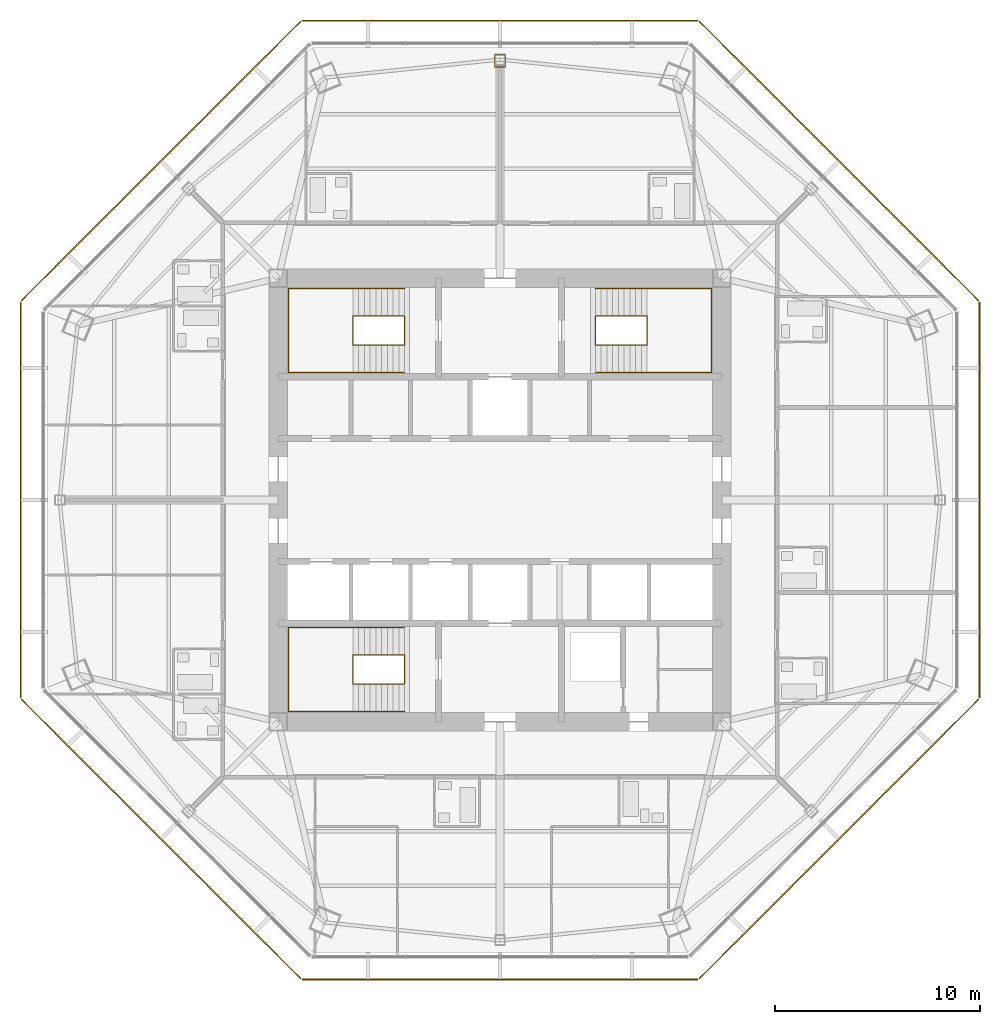
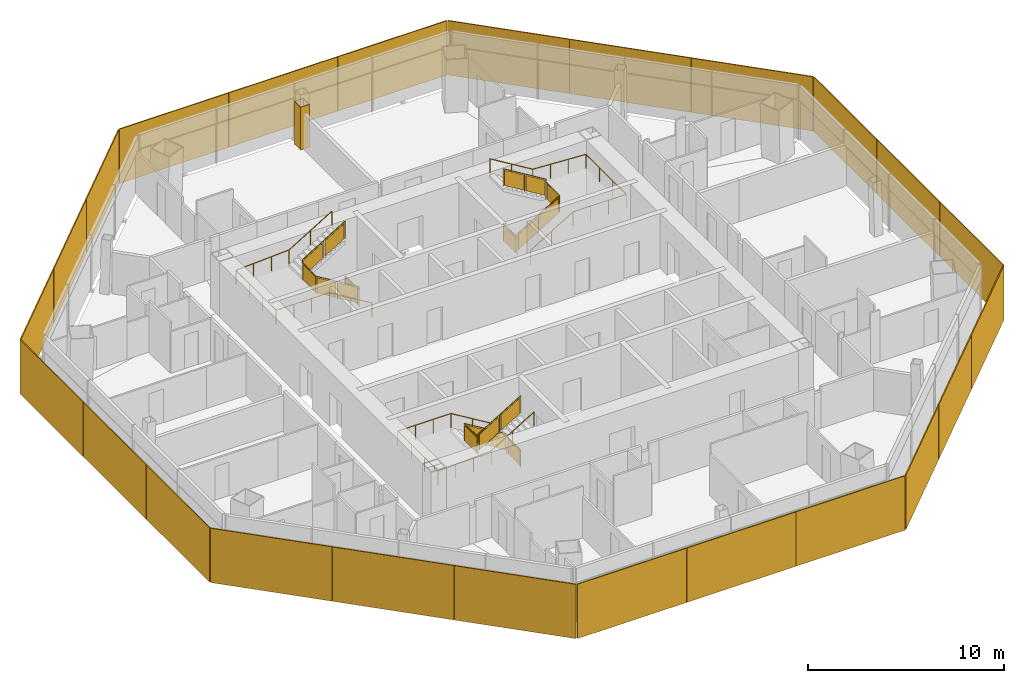
# One storey, part 14 of 15: 24 shading devices, 6 railings, 1 covering.
"""IFC4 building model written with IfcOpenShell, lengths in metres."""

from ifc_helpers import new_model, si_unit, direction, frame, origin, origin_2d, place, context, subcontext, project, spatial, polyline, rectangle, circle, outline, extrude, source, transform, mapped, material, layer, layer_set, type_object, type_shapes, element, save


model = new_model("IFC4")

# Units and contexts
model_context = context("Model", 3, precision=1e-05, world=origin(), true_north=direction((0.0, 1.0)))
body_context = subcontext(model_context, "Body", "Model", "MODEL_VIEW")
ifc_project = project(units=[si_unit("LENGTHUNIT", "METRE"), si_unit("AREAUNIT", "SQUARE_METRE"), si_unit("VOLUMEUNIT", "CUBIC_METRE"), si_unit("PLANEANGLEUNIT", "RADIAN"), si_unit("MASSUNIT", "GRAM", prefix="KILO")], contexts=[model_context])

# Site, building, storey
site_placement = place(None, origin())
site = spatial("IfcSite", under=ifc_project, at=site_placement, CompositionType="ELEMENT")
building_placement = place(site_placement, origin())
building = spatial("IfcBuilding", under=site, at=building_placement, Name="Mashrafa Tower", CompositionType="ELEMENT")
storey_placement = place(building_placement, frame((0.0, 0.0, 204.0)))
storey = spatial("IfcBuildingStorey", under=building, at=storey_placement, Name="L46", CompositionType="ELEMENT", Elevation=204.0)

# Covering
ifc_material_1 = material(Name="Gypsum board")
ifc_layer_1 = layer(ifc_material_1, 0.014892578125)
ifc_layer_set_1 = layer_set([ifc_layer_1], Name="Column casing plasterboard 15")
covering_type = type_object("IfcCoveringType", Name="Column casing plasterboard 15", PredefinedType="CLADDING", material=ifc_layer_set_1)
covering_placement = place(storey_placement, origin())
element("IfcCovering", 1, at=covering_placement, inside=storey, type_object=covering_type, Name="Column casing L46-001", PredefinedType="CLADDING", context=body_context, shape_type="SweptSolid", body=[
    extrude(outline(polyline([(-0.264892578125, 21.708984375), (0.264892578125, 21.708984375), (0.264892578125, 21.08251953125), (-0.264892578125, 21.08251953125), (-0.264892578125, 21.708984375)]), holes=[polyline([(0.25, 21.09765625), (0.25, 21.69384765625), (-0.25, 21.69384765625), (-0.25, 21.09765625), (0.25, 21.09765625)])]), origin(), (0.0, 0.0, 1.0), 2.664306640625),
])

# Railings
ifc_material_2 = material(Name="Steel guard with glass infill", Category="steel")
railing_type_1 = type_object("IfcRailingType", Name="Stair guard 1100", PredefinedType="GUARDRAIL", material=ifc_material_2)
railing_1_placement = place(storey_placement, frame((-4.64990234375, 8.949951171875, 0.0)))
element("IfcRailing", 2, at=railing_1_placement, inside=storey, type_object=railing_type_1, Name="Stair S1 guard L46", PredefinedType="GUARDRAIL", context=body_context, shape_type="SweptSolid", body=[
    extrude(circle(Radius=0.02392578125, at=origin_2d()), frame((0.0, 0.0, 1.076171875), z_axis=(0.0, -1.0, 0.0), x_axis=(1.0, 0.0, 0.0)), (0.0, 0.0, 1.0), 1.39990234375),
    extrude(circle(Radius=0.02392578125, at=origin_2d()), frame((0.0, -1.39990234375, 1.076171875), z_axis=(0.0, 0.0, 1.0), x_axis=(1.0, 0.0, 0.0)), (0.0, 0.0, 1.0), 0.169921875),
    extrude(circle(Radius=0.02392578125, at=origin_2d()), frame((0.0, -1.39990234375, 1.24609375), z_axis=(-0.85478489116, 0.0, 0.518982456201), x_axis=(0.0, -1.0, 0.0)), (0.0, 0.0, 1.0), 2.9482421875),
    extrude(circle(Radius=0.02392578125, at=origin_2d()), frame((-2.52001953125, -1.39990234375, 2.77587890625), z_axis=(0.0, 1.0, 0.0), x_axis=(-1.0, 0.0, 0.0)), (0.0, 0.0, 1.0), 1.39990234375),
    extrude(circle(Radius=0.02392578125, at=origin_2d()), frame((-2.52001953125, 0.0, 2.77587890625), z_axis=(0.0, 0.0, 1.0), x_axis=(1.0, 0.0, 0.0)), (0.0, 0.0, 1.0), 0.170166015625),
    extrude(circle(Radius=0.02392578125, at=origin_2d()), frame((-2.52001953125, 0.0, 2.9462890625), z_axis=(0.854821627497, 0.0, 0.518921945155), x_axis=(0.0, 1.0, 0.0)), (0.0, 0.0, 1.0), 2.947998046875),
    extrude(circle(Radius=0.02099609375, at=origin_2d()), origin(), (0.0, 0.0, 1.0), 1.052001953125),
    extrude(circle(Radius=0.02099609375, at=origin_2d()), frame((0.0, -1.39990234375, 0.0)), (0.0, 0.0, 1.0), 1.052001953125),
    extrude(circle(Radius=0.02099609375, at=origin_2d()), frame((0.0, -1.39990234375, 0.169921875)), (0.0, 0.0, 1.0), 1.052001953125),
    extrude(circle(Radius=0.02099609375, at=origin_2d()), frame((-1.260009765625, -1.39990234375, 0.93505859375)), (0.0, 0.0, 1.0), 1.052001953125),
    extrude(circle(Radius=0.02099609375, at=origin_2d()), frame((-2.52001953125, -1.39990234375, 1.699951171875)), (0.0, 0.0, 1.0), 1.052001953125),
    extrude(circle(Radius=0.02099609375, at=origin_2d()), frame((-2.52001953125, 0.0, 1.699951171875)), (0.0, 0.0, 1.0), 1.052001953125),
    extrude(circle(Radius=0.02099609375, at=origin_2d()), frame((-2.52001953125, 0.0, 1.8701171875)), (0.0, 0.0, 1.0), 1.052001953125),
    extrude(circle(Radius=0.02099609375, at=origin_2d()), frame((-1.260009765625, 0.0, 2.635009765625)), (0.0, 0.0, 1.0), 1.052001953125),
    extrude(circle(Radius=0.02099609375, at=origin_2d()), frame((0.0, 0.0, 3.39990234375)), (0.0, 0.0, 1.0), 1.052001953125),
    extrude(outline(polyline([(0.071044921875, 0.050048828125), (1.328857421875, 0.050048828125), (1.328857421875, 1.001953125), (0.071044921875, 1.001953125), (0.071044921875, 0.050048828125)])), frame((-0.006103515625, 0.0, 0.0), z_axis=(-1.0, 0.0, 0.0), x_axis=(0.0, -1.0, 0.0)), (0.0, 0.0, 1.0), 0.011962890625),
    extrude(outline(polyline([(0.071044921875, 0.093017578125), (1.18896484375, 0.77197265625), (1.18896484375, 1.723876953125), (0.071044921875, 1.045166015625), (0.071044921875, 0.093017578125)])), frame((0.0, -1.393798828125, 0.169921875), z_axis=(0.0, 1.0, 0.0), x_axis=(-1.0, 0.0, 0.0)), (0.0, 0.0, 1.0), 0.011962890625),
    extrude(outline(polyline([(1.3310546875, 0.858154296875), (2.448974609375, 1.536865234375), (2.448974609375, 2.489013671875), (1.3310546875, 1.81005859375), (1.3310546875, 0.858154296875)])), frame((0.0, -1.393798828125, 0.169921875), z_axis=(0.0, 1.0, 0.0), x_axis=(-1.0, 0.0, 0.0)), (0.0, 0.0, 1.0), 0.011962890625),
    extrude(outline(polyline([(0.071044921875, 0.050048828125), (1.328857421875, 0.050048828125), (1.328857421875, 1.001953125), (0.071044921875, 1.001953125), (0.071044921875, 0.050048828125)])), frame((-2.513916015625, -1.39990234375, 1.699951171875), z_axis=(1.0, 0.0, 0.0), x_axis=(0.0, 1.0, 0.0)), (0.0, 0.0, 1.0), 0.011962890625),
    extrude(outline(polyline([(0.071044921875, 0.093017578125), (1.18896484375, 0.771728515625), (1.18896484375, 1.723876953125), (0.071044921875, 1.045166015625), (0.071044921875, 0.093017578125)])), frame((-2.52001953125, -0.006103515625, 1.8701171875), z_axis=(0.0, -1.0, 0.0), x_axis=(1.0, 0.0, 0.0)), (0.0, 0.0, 1.0), 0.011962890625),
    extrude(outline(polyline([(1.3310546875, 0.85791015625), (2.448974609375, 1.53662109375), (2.448974609375, 2.48876953125), (1.3310546875, 1.81005859375), (1.3310546875, 0.85791015625)])), frame((-2.52001953125, -0.006103515625, 1.8701171875), z_axis=(0.0, -1.0, 0.0), x_axis=(1.0, 0.0, 0.0)), (0.0, 0.0, 1.0), 0.011962890625),
])
railing_2_placement = place(storey_placement, frame((4.64990234375, 8.949951171875, 0.0)))
element("IfcRailing", 3, at=railing_2_placement, inside=storey, type_object=railing_type_1, Name="Stair S2 guard L46", PredefinedType="GUARDRAIL", context=body_context, shape_type="SweptSolid", body=[
    extrude(circle(Radius=0.02392578125, at=origin_2d()), frame((0.0, 0.0, 1.076171875), z_axis=(0.0, -1.0, 0.0), x_axis=(1.0, 0.0, 0.0)), (0.0, 0.0, 1.0), 1.39990234375),
    extrude(circle(Radius=0.02392578125, at=origin_2d()), frame((0.0, -1.39990234375, 1.076171875), z_axis=(0.0, 0.0, 1.0), x_axis=(1.0, 0.0, 0.0)), (0.0, 0.0, 1.0), 0.169921875),
    extrude(circle(Radius=0.02392578125, at=origin_2d()), frame((0.0, -1.39990234375, 1.24609375), z_axis=(0.85478489116, 0.0, 0.518982456201), x_axis=(0.0, 1.0, 0.0)), (0.0, 0.0, 1.0), 2.9482421875),
    extrude(circle(Radius=0.02392578125, at=origin_2d()), frame((2.52001953125, -1.39990234375, 2.77587890625), z_axis=(0.0, 1.0, 0.0), x_axis=(-1.0, 0.0, 0.0)), (0.0, 0.0, 1.0), 1.39990234375),
    extrude(circle(Radius=0.02392578125, at=origin_2d()), frame((2.52001953125, 0.0, 2.77587890625), z_axis=(0.0, 0.0, 1.0), x_axis=(1.0, 0.0, 0.0)), (0.0, 0.0, 1.0), 0.170166015625),
    extrude(circle(Radius=0.02392578125, at=origin_2d()), frame((2.52001953125, 0.0, 2.9462890625), z_axis=(-0.854821627497, 0.0, 0.518921945155), x_axis=(0.0, -1.0, 0.0)), (0.0, 0.0, 1.0), 2.947998046875),
    extrude(circle(Radius=0.02099609375, at=origin_2d()), origin(), (0.0, 0.0, 1.0), 1.052001953125),
    extrude(circle(Radius=0.02099609375, at=origin_2d()), frame((0.0, -1.39990234375, 0.0)), (0.0, 0.0, 1.0), 1.052001953125),
    extrude(circle(Radius=0.02099609375, at=origin_2d()), frame((0.0, -1.39990234375, 0.169921875)), (0.0, 0.0, 1.0), 1.052001953125),
    extrude(circle(Radius=0.02099609375, at=origin_2d()), frame((1.260009765625, -1.39990234375, 0.93505859375)), (0.0, 0.0, 1.0), 1.052001953125),
    extrude(circle(Radius=0.02099609375, at=origin_2d()), frame((2.52001953125, -1.39990234375, 1.699951171875)), (0.0, 0.0, 1.0), 1.052001953125),
    extrude(circle(Radius=0.02099609375, at=origin_2d()), frame((2.52001953125, 0.0, 1.699951171875)), (0.0, 0.0, 1.0), 1.052001953125),
    extrude(circle(Radius=0.02099609375, at=origin_2d()), frame((2.52001953125, 0.0, 1.8701171875)), (0.0, 0.0, 1.0), 1.052001953125),
    extrude(circle(Radius=0.02099609375, at=origin_2d()), frame((1.260009765625, 0.0, 2.635009765625)), (0.0, 0.0, 1.0), 1.052001953125),
    extrude(circle(Radius=0.02099609375, at=origin_2d()), frame((0.0, 0.0, 3.39990234375)), (0.0, 0.0, 1.0), 1.052001953125),
    extrude(outline(polyline([(0.071044921875, 0.050048828125), (1.328857421875, 0.050048828125), (1.328857421875, 1.001953125), (0.071044921875, 1.001953125), (0.071044921875, 0.050048828125)])), frame((-0.006103515625, 0.0, 0.0), z_axis=(-1.0, 0.0, 0.0), x_axis=(0.0, -1.0, 0.0)), (0.0, 0.0, 1.0), 0.011962890625),
    extrude(outline(polyline([(0.071044921875, 0.093017578125), (1.18896484375, 0.77197265625), (1.18896484375, 1.723876953125), (0.071044921875, 1.045166015625), (0.071044921875, 0.093017578125)])), frame((0.0, -1.406005859375, 0.169921875), z_axis=(0.0, -1.0, 0.0), x_axis=(1.0, 0.0, 0.0)), (0.0, 0.0, 1.0), 0.011962890625),
    extrude(outline(polyline([(1.3310546875, 0.858154296875), (2.448974609375, 1.536865234375), (2.448974609375, 2.489013671875), (1.3310546875, 1.81005859375), (1.3310546875, 0.858154296875)])), frame((0.0, -1.406005859375, 0.169921875), z_axis=(0.0, -1.0, 0.0), x_axis=(1.0, 0.0, 0.0)), (0.0, 0.0, 1.0), 0.011962890625),
    extrude(outline(polyline([(0.071044921875, 0.050048828125), (1.328857421875, 0.050048828125), (1.328857421875, 1.001953125), (0.071044921875, 1.001953125), (0.071044921875, 0.050048828125)])), frame((2.526123046875, -1.39990234375, 1.699951171875), z_axis=(1.0, 0.0, 0.0), x_axis=(0.0, 1.0, 0.0)), (0.0, 0.0, 1.0), 0.011962890625),
    extrude(outline(polyline([(0.071044921875, 0.093017578125), (1.18896484375, 0.771728515625), (1.18896484375, 1.723876953125), (0.071044921875, 1.045166015625), (0.071044921875, 0.093017578125)])), frame((2.52001953125, 0.006103515625, 1.8701171875), z_axis=(0.0, 1.0, 0.0), x_axis=(-1.0, 0.0, 0.0)), (0.0, 0.0, 1.0), 0.011962890625),
    extrude(outline(polyline([(1.3310546875, 0.85791015625), (2.448974609375, 1.53662109375), (2.448974609375, 2.48876953125), (1.3310546875, 1.81005859375), (1.3310546875, 0.85791015625)])), frame((2.52001953125, 0.006103515625, 1.8701171875), z_axis=(0.0, 1.0, 0.0), x_axis=(-1.0, 0.0, 0.0)), (0.0, 0.0, 1.0), 0.011962890625),
])
railing_3_placement = place(storey_placement, frame((-4.64990234375, -8.949951171875, 0.0)))
element("IfcRailing", 4, at=railing_3_placement, inside=storey, type_object=railing_type_1, Name="Stair S3 guard L46", PredefinedType="GUARDRAIL", context=body_context, shape_type="SweptSolid", body=[
    extrude(circle(Radius=0.02392578125, at=origin_2d()), frame((0.0, 0.0, 1.076171875), z_axis=(0.0, 1.0, 0.0), x_axis=(-1.0, 0.0, 0.0)), (0.0, 0.0, 1.0), 1.39990234375),
    extrude(circle(Radius=0.02392578125, at=origin_2d()), frame((0.0, 1.39990234375, 1.076171875), z_axis=(0.0, 0.0, 1.0), x_axis=(1.0, 0.0, 0.0)), (0.0, 0.0, 1.0), 0.169921875),
    extrude(circle(Radius=0.02392578125, at=origin_2d()), frame((0.0, 1.39990234375, 1.24609375), z_axis=(-0.85478489116, 0.0, 0.518982456201), x_axis=(0.0, -1.0, 0.0)), (0.0, 0.0, 1.0), 2.9482421875),
    extrude(circle(Radius=0.02392578125, at=origin_2d()), frame((-2.52001953125, 1.39990234375, 2.77587890625), z_axis=(0.0, -1.0, 0.0), x_axis=(1.0, 0.0, 0.0)), (0.0, 0.0, 1.0), 1.39990234375),
    extrude(circle(Radius=0.02392578125, at=origin_2d()), frame((-2.52001953125, 0.0, 2.77587890625), z_axis=(0.0, 0.0, 1.0), x_axis=(1.0, 0.0, 0.0)), (0.0, 0.0, 1.0), 0.170166015625),
    extrude(circle(Radius=0.02392578125, at=origin_2d()), frame((-2.52001953125, 0.0, 2.9462890625), z_axis=(0.854821627497, 0.0, 0.518921945155), x_axis=(0.0, 1.0, 0.0)), (0.0, 0.0, 1.0), 2.947998046875),
    extrude(circle(Radius=0.02099609375, at=origin_2d()), origin(), (0.0, 0.0, 1.0), 1.052001953125),
    extrude(circle(Radius=0.02099609375, at=origin_2d()), frame((0.0, 1.39990234375, 0.0)), (0.0, 0.0, 1.0), 1.052001953125),
    extrude(circle(Radius=0.02099609375, at=origin_2d()), frame((0.0, 1.39990234375, 0.169921875)), (0.0, 0.0, 1.0), 1.052001953125),
    extrude(circle(Radius=0.02099609375, at=origin_2d()), frame((-1.260009765625, 1.39990234375, 0.93505859375)), (0.0, 0.0, 1.0), 1.052001953125),
    extrude(circle(Radius=0.02099609375, at=origin_2d()), frame((-2.52001953125, 1.39990234375, 1.699951171875)), (0.0, 0.0, 1.0), 1.052001953125),
    extrude(circle(Radius=0.02099609375, at=origin_2d()), frame((-2.52001953125, 0.0, 1.699951171875)), (0.0, 0.0, 1.0), 1.052001953125),
    extrude(circle(Radius=0.02099609375, at=origin_2d()), frame((-2.52001953125, 0.0, 1.8701171875)), (0.0, 0.0, 1.0), 1.052001953125),
    extrude(circle(Radius=0.02099609375, at=origin_2d()), frame((-1.260009765625, 0.0, 2.635009765625)), (0.0, 0.0, 1.0), 1.052001953125),
    extrude(circle(Radius=0.02099609375, at=origin_2d()), frame((0.0, 0.0, 3.39990234375)), (0.0, 0.0, 1.0), 1.052001953125),
    extrude(outline(polyline([(0.071044921875, 0.050048828125), (1.328857421875, 0.050048828125), (1.328857421875, 1.001953125), (0.071044921875, 1.001953125), (0.071044921875, 0.050048828125)])), frame((0.006103515625, 0.0, 0.0), z_axis=(1.0, 0.0, 0.0), x_axis=(0.0, 1.0, 0.0)), (0.0, 0.0, 1.0), 0.011962890625),
    extrude(outline(polyline([(0.071044921875, 0.093017578125), (1.18896484375, 0.77197265625), (1.18896484375, 1.723876953125), (0.071044921875, 1.045166015625), (0.071044921875, 0.093017578125)])), frame((0.0, 1.406005859375, 0.169921875), z_axis=(0.0, 1.0, 0.0), x_axis=(-1.0, 0.0, 0.0)), (0.0, 0.0, 1.0), 0.011962890625),
    extrude(outline(polyline([(1.3310546875, 0.858154296875), (2.448974609375, 1.536865234375), (2.448974609375, 2.489013671875), (1.3310546875, 1.81005859375), (1.3310546875, 0.858154296875)])), frame((0.0, 1.406005859375, 0.169921875), z_axis=(0.0, 1.0, 0.0), x_axis=(-1.0, 0.0, 0.0)), (0.0, 0.0, 1.0), 0.011962890625),
    extrude(outline(polyline([(0.071044921875, 0.050048828125), (1.328857421875, 0.050048828125), (1.328857421875, 1.001953125), (0.071044921875, 1.001953125), (0.071044921875, 0.050048828125)])), frame((-2.526123046875, 1.39990234375, 1.699951171875), z_axis=(-1.0, 0.0, 0.0), x_axis=(0.0, -1.0, 0.0)), (0.0, 0.0, 1.0), 0.011962890625),
    extrude(outline(polyline([(0.071044921875, 0.093017578125), (1.18896484375, 0.771728515625), (1.18896484375, 1.723876953125), (0.071044921875, 1.045166015625), (0.071044921875, 0.093017578125)])), frame((-2.52001953125, -0.006103515625, 1.8701171875), z_axis=(0.0, -1.0, 0.0), x_axis=(1.0, 0.0, 0.0)), (0.0, 0.0, 1.0), 0.011962890625),
    extrude(outline(polyline([(1.3310546875, 0.85791015625), (2.448974609375, 1.53662109375), (2.448974609375, 2.48876953125), (1.3310546875, 1.81005859375), (1.3310546875, 0.85791015625)])), frame((-2.52001953125, -0.006103515625, 1.8701171875), z_axis=(0.0, -1.0, 0.0), x_axis=(1.0, 0.0, 0.0)), (0.0, 0.0, 1.0), 0.011962890625),
])
ifc_material_3 = material(Name="Steel", Category="steel")
railing_type_2 = type_object("IfcRailingType", Name="Stair handrail 900", PredefinedType="HANDRAIL", material=ifc_material_3)
railing_4_placement = place(storey_placement, frame((-4.64990234375, 6.199951171875, 0.169921875)))
element("IfcRailing", 5, at=railing_4_placement, inside=storey, type_object=railing_type_2, Name="Stair S1 handrail L46", PredefinedType="HANDRAIL", context=body_context, shape_type="SweptSolid", body=[
    extrude(circle(Radius=0.02392578125, at=origin_2d()), frame((0.0, 0.0, 0.8759765625), z_axis=(-0.85478489116, 0.0, 0.518982456201), x_axis=(0.0, -1.0, 0.0)), (0.0, 0.0, 1.0), 2.9482421875),
    extrude(circle(Radius=0.02392578125, at=origin_2d()), frame((-2.52001953125, 0.0, 2.40576171875), z_axis=(-1.0, 0.0, 0.0), x_axis=(0.0, -1.0, 0.0)), (0.0, 0.0, 1.0), 3.130126953125),
    extrude(circle(Radius=0.02392578125, at=origin_2d()), frame((-5.650146484375, 0.0, 2.40576171875), z_axis=(0.0, 1.0, 0.0), x_axis=(-1.0, 0.0, 0.0)), (0.0, 0.0, 1.0), 4.10009765625),
    extrude(circle(Radius=0.02392578125, at=origin_2d()), frame((-5.650146484375, 4.10009765625, 2.40576171875), z_axis=(0.998525548763, 0.0, 0.054283777201), x_axis=(0.0, 1.0, 0.0)), (0.0, 0.0, 1.0), 3.134765625),
    extrude(circle(Radius=0.02392578125, at=origin_2d()), frame((-2.52001953125, 4.10009765625, 2.576171875), z_axis=(0.854821627497, 0.0, 0.518921945155), x_axis=(0.0, 1.0, 0.0)), (0.0, 0.0, 1.0), 2.947998046875),
    extrude(circle(Radius=0.02099609375, at=origin_2d()), origin(), (0.0, 0.0, 1.0), 0.851806640625),
    extrude(circle(Radius=0.02099609375, at=origin_2d()), frame((-1.260009765625, 0.0, 0.76513671875)), (0.0, 0.0, 1.0), 0.851806640625),
    extrude(circle(Radius=0.02099609375, at=origin_2d()), frame((-2.52001953125, 0.0, 1.530029296875)), (0.0, 0.0, 1.0), 0.851806640625),
    extrude(circle(Radius=0.02099609375, at=origin_2d()), frame((-3.5634765625, 0.0, 1.530029296875)), (0.0, 0.0, 1.0), 0.851806640625),
    extrude(circle(Radius=0.02099609375, at=origin_2d()), frame((-4.606689453125, 0.0, 1.530029296875)), (0.0, 0.0, 1.0), 0.851806640625),
    extrude(circle(Radius=0.02099609375, at=origin_2d()), frame((-5.650146484375, 0.0, 1.530029296875)), (0.0, 0.0, 1.0), 0.851806640625),
    extrude(circle(Radius=0.02099609375, at=origin_2d()), frame((-5.650146484375, 1.36669921875, 1.530029296875)), (0.0, 0.0, 1.0), 0.851806640625),
    extrude(circle(Radius=0.02099609375, at=origin_2d()), frame((-5.650146484375, 2.7333984375, 1.530029296875)), (0.0, 0.0, 1.0), 0.851806640625),
    extrude(circle(Radius=0.02099609375, at=origin_2d()), frame((-5.650146484375, 4.10009765625, 1.530029296875)), (0.0, 0.0, 1.0), 0.851806640625),
    extrude(circle(Radius=0.02099609375, at=origin_2d()), frame((-4.606689453125, 4.10009765625, 1.586669921875)), (0.0, 0.0, 1.0), 0.851806640625),
    extrude(circle(Radius=0.02099609375, at=origin_2d()), frame((-3.5634765625, 4.10009765625, 1.6435546875)), (0.0, 0.0, 1.0), 0.851806640625),
    extrude(circle(Radius=0.02099609375, at=origin_2d()), frame((-2.52001953125, 4.10009765625, 1.7001953125)), (0.0, 0.0, 1.0), 0.851806640625),
    extrude(circle(Radius=0.02099609375, at=origin_2d()), frame((-1.260009765625, 4.10009765625, 2.465087890625)), (0.0, 0.0, 1.0), 0.851806640625),
    extrude(circle(Radius=0.02099609375, at=origin_2d()), frame((0.0, 4.10009765625, 3.22998046875)), (0.0, 0.0, 1.0), 0.851806640625),
])
railing_5_placement = place(storey_placement, frame((4.64990234375, 6.199951171875, 0.169921875)))
element("IfcRailing", 6, at=railing_5_placement, inside=storey, type_object=railing_type_2, Name="Stair S2 handrail L46", PredefinedType="HANDRAIL", context=body_context, shape_type="SweptSolid", body=[
    extrude(circle(Radius=0.02392578125, at=origin_2d()), frame((0.0, 0.0, 0.8759765625), z_axis=(0.85478489116, 0.0, 0.518982456201), x_axis=(0.0, 1.0, 0.0)), (0.0, 0.0, 1.0), 2.9482421875),
    extrude(circle(Radius=0.02392578125, at=origin_2d()), frame((2.52001953125, 0.0, 2.40576171875), z_axis=(1.0, 0.0, 0.0), x_axis=(0.0, 1.0, 0.0)), (0.0, 0.0, 1.0), 3.130126953125),
    extrude(circle(Radius=0.02392578125, at=origin_2d()), frame((5.650146484375, 0.0, 2.40576171875), z_axis=(0.0, 1.0, 0.0), x_axis=(-1.0, 0.0, 0.0)), (0.0, 0.0, 1.0), 4.10009765625),
    extrude(circle(Radius=0.02392578125, at=origin_2d()), frame((5.650146484375, 4.10009765625, 2.40576171875), z_axis=(-0.998525548763, 0.0, 0.054283777201), x_axis=(0.0, -1.0, 0.0)), (0.0, 0.0, 1.0), 3.134765625),
    extrude(circle(Radius=0.02392578125, at=origin_2d()), frame((2.52001953125, 4.10009765625, 2.576171875), z_axis=(-0.854821627497, 0.0, 0.518921945155), x_axis=(0.0, -1.0, 0.0)), (0.0, 0.0, 1.0), 2.947998046875),
    extrude(circle(Radius=0.02099609375, at=origin_2d()), origin(), (0.0, 0.0, 1.0), 0.851806640625),
    extrude(circle(Radius=0.02099609375, at=origin_2d()), frame((1.260009765625, 0.0, 0.76513671875)), (0.0, 0.0, 1.0), 0.851806640625),
    extrude(circle(Radius=0.02099609375, at=origin_2d()), frame((2.52001953125, 0.0, 1.530029296875)), (0.0, 0.0, 1.0), 0.851806640625),
    extrude(circle(Radius=0.02099609375, at=origin_2d()), frame((3.5634765625, 0.0, 1.530029296875)), (0.0, 0.0, 1.0), 0.851806640625),
    extrude(circle(Radius=0.02099609375, at=origin_2d()), frame((4.606689453125, 0.0, 1.530029296875)), (0.0, 0.0, 1.0), 0.851806640625),
    extrude(circle(Radius=0.02099609375, at=origin_2d()), frame((5.650146484375, 0.0, 1.530029296875)), (0.0, 0.0, 1.0), 0.851806640625),
    extrude(circle(Radius=0.02099609375, at=origin_2d()), frame((5.650146484375, 1.36669921875, 1.530029296875)), (0.0, 0.0, 1.0), 0.851806640625),
    extrude(circle(Radius=0.02099609375, at=origin_2d()), frame((5.650146484375, 2.7333984375, 1.530029296875)), (0.0, 0.0, 1.0), 0.851806640625),
    extrude(circle(Radius=0.02099609375, at=origin_2d()), frame((5.650146484375, 4.10009765625, 1.530029296875)), (0.0, 0.0, 1.0), 0.851806640625),
    extrude(circle(Radius=0.02099609375, at=origin_2d()), frame((4.606689453125, 4.10009765625, 1.586669921875)), (0.0, 0.0, 1.0), 0.851806640625),
    extrude(circle(Radius=0.02099609375, at=origin_2d()), frame((3.5634765625, 4.10009765625, 1.6435546875)), (0.0, 0.0, 1.0), 0.851806640625),
    extrude(circle(Radius=0.02099609375, at=origin_2d()), frame((2.52001953125, 4.10009765625, 1.7001953125)), (0.0, 0.0, 1.0), 0.851806640625),
    extrude(circle(Radius=0.02099609375, at=origin_2d()), frame((1.260009765625, 4.10009765625, 2.465087890625)), (0.0, 0.0, 1.0), 0.851806640625),
    extrude(circle(Radius=0.02099609375, at=origin_2d()), frame((0.0, 4.10009765625, 3.22998046875)), (0.0, 0.0, 1.0), 0.851806640625),
])
railing_6_placement = place(storey_placement, frame((-4.64990234375, -6.199951171875, 0.169921875)))
element("IfcRailing", 7, at=railing_6_placement, inside=storey, type_object=railing_type_2, Name="Stair S3 handrail L46", PredefinedType="HANDRAIL", context=body_context, shape_type="SweptSolid", body=[
    extrude(circle(Radius=0.02392578125, at=origin_2d()), frame((0.0, 0.0, 0.8759765625), z_axis=(-0.85478489116, 0.0, 0.518982456201), x_axis=(0.0, -1.0, 0.0)), (0.0, 0.0, 1.0), 2.9482421875),
    extrude(circle(Radius=0.02392578125, at=origin_2d()), frame((-2.52001953125, 0.0, 2.40576171875), z_axis=(-1.0, 0.0, 0.0), x_axis=(0.0, -1.0, 0.0)), (0.0, 0.0, 1.0), 3.130126953125),
    extrude(circle(Radius=0.02392578125, at=origin_2d()), frame((-5.650146484375, 0.0, 2.40576171875), z_axis=(0.0, -1.0, 0.0), x_axis=(1.0, 0.0, 0.0)), (0.0, 0.0, 1.0), 4.10009765625),
    extrude(circle(Radius=0.02392578125, at=origin_2d()), frame((-5.650146484375, -4.10009765625, 2.40576171875), z_axis=(0.998525548763, 0.0, 0.054283777201), x_axis=(0.0, 1.0, 0.0)), (0.0, 0.0, 1.0), 3.134765625),
    extrude(circle(Radius=0.02392578125, at=origin_2d()), frame((-2.52001953125, -4.10009765625, 2.576171875), z_axis=(0.854821627497, 0.0, 0.518921945155), x_axis=(0.0, 1.0, 0.0)), (0.0, 0.0, 1.0), 2.947998046875),
    extrude(circle(Radius=0.02099609375, at=origin_2d()), origin(), (0.0, 0.0, 1.0), 0.851806640625),
    extrude(circle(Radius=0.02099609375, at=origin_2d()), frame((-1.260009765625, 0.0, 0.76513671875)), (0.0, 0.0, 1.0), 0.851806640625),
    extrude(circle(Radius=0.02099609375, at=origin_2d()), frame((-2.52001953125, 0.0, 1.530029296875)), (0.0, 0.0, 1.0), 0.851806640625),
    extrude(circle(Radius=0.02099609375, at=origin_2d()), frame((-3.5634765625, 0.0, 1.530029296875)), (0.0, 0.0, 1.0), 0.851806640625),
    extrude(circle(Radius=0.02099609375, at=origin_2d()), frame((-4.606689453125, 0.0, 1.530029296875)), (0.0, 0.0, 1.0), 0.851806640625),
    extrude(circle(Radius=0.02099609375, at=origin_2d()), frame((-5.650146484375, 0.0, 1.530029296875)), (0.0, 0.0, 1.0), 0.851806640625),
    extrude(circle(Radius=0.02099609375, at=origin_2d()), frame((-5.650146484375, -1.36669921875, 1.530029296875)), (0.0, 0.0, 1.0), 0.851806640625),
    extrude(circle(Radius=0.02099609375, at=origin_2d()), frame((-5.650146484375, -2.7333984375, 1.530029296875)), (0.0, 0.0, 1.0), 0.851806640625),
    extrude(circle(Radius=0.02099609375, at=origin_2d()), frame((-5.650146484375, -4.10009765625, 1.530029296875)), (0.0, 0.0, 1.0), 0.851806640625),
    extrude(circle(Radius=0.02099609375, at=origin_2d()), frame((-4.606689453125, -4.10009765625, 1.586669921875)), (0.0, 0.0, 1.0), 0.851806640625),
    extrude(circle(Radius=0.02099609375, at=origin_2d()), frame((-3.5634765625, -4.10009765625, 1.6435546875)), (0.0, 0.0, 1.0), 0.851806640625),
    extrude(circle(Radius=0.02099609375, at=origin_2d()), frame((-2.52001953125, -4.10009765625, 1.7001953125)), (0.0, 0.0, 1.0), 0.851806640625),
    extrude(circle(Radius=0.02099609375, at=origin_2d()), frame((-1.260009765625, -4.10009765625, 2.465087890625)), (0.0, 0.0, 1.0), 0.851806640625),
    extrude(circle(Radius=0.02099609375, at=origin_2d()), frame((0.0, -4.10009765625, 3.22998046875)), (0.0, 0.0, 1.0), 0.851806640625),
])

# Shading devices
ifc_material_4 = material(Name="Perforated aluminium plate, eight-point star pattern", Category="aluminium")
ifc_layer_2 = layer(ifc_material_4, 0.06005859375)
ifc_layer_set_2 = layer_set([ifc_layer_2], Name="Mashrabiya screen panel apartment zone 3, 28 percent open")
shading_device_type = type_object("IfcShadingDeviceType", Name="Mashrabiya screen panel apartment zone 3, 28 percent open", PredefinedType="SHUTTER", material=ifc_layer_set_2)
shared_shape = source(origin(), body_context, "Body", "SweptSolid", [
    extrude(rectangle(XDim=6.411376953125, YDim=0.06005859375, at=origin_2d()), origin(), (0.0, 0.0, 1.0), 3.3798828125),
])
type_shapes(shading_device_type, [shared_shape])
for number, where, z_axis, x_axis, name in (
    (8, (23.34375, -6.431396484375, -0.14990234375), (0.0, 0.0, 1.0), (0.0, 1.0, 0.0), "Mashrabiya screen L46 east 1"),
    (9, (23.34375, 0.0, -0.14990234375), (0.0, 0.0, 1.0), (0.0, 1.0, 0.0), "Mashrabiya screen L46 east 2"),
    (10, (23.34375, 6.431396484375, -0.14990234375), (0.0, 0.0, 1.0), (0.0, 1.0, 0.0), "Mashrabiya screen L46 east 3"),
    (11, (21.05419921875, 11.958984375, -0.14990234375), (0.0, 0.0, 1.0), (-0.707106781187, 0.707106781187, 0.0), "Mashrabiya screen L46 north-east 1"),
    (12, (16.506591796875, 16.506591796875, -0.14990234375), (0.0, 0.0, 1.0), (-0.707106781187, 0.707106781187, 0.0), "Mashrabiya screen L46 north-east 2"),
    (13, (11.958984375, 21.05419921875, -0.14990234375), (0.0, 0.0, 1.0), (-0.707106781187, 0.707106781187, 0.0), "Mashrabiya screen L46 north-east 3"),
    (14, (6.431396484375, 23.34375, -0.14990234375), (0.0, 0.0, 1.0), (-1.0, 0.0, 0.0), "Mashrabiya screen L46 north 1"),
    (15, (0.0, 23.34375, -0.14990234375), (0.0, 0.0, 1.0), (-1.0, 0.0, 0.0), "Mashrabiya screen L46 north 2"),
    (16, (-6.431396484375, 23.34375, -0.14990234375), (0.0, 0.0, 1.0), (-1.0, 0.0, 0.0), "Mashrabiya screen L46 north 3"),
    (17, (-11.958984375, 21.05419921875, -0.14990234375), (0.0, 0.0, 1.0), (-0.707106781187, -0.707106781187, 0.0), "Mashrabiya screen L46 north-west 1"),
    (18, (-16.506591796875, 16.506591796875, -0.14990234375), (0.0, 0.0, 1.0), (-0.707106781187, -0.707106781187, 0.0), "Mashrabiya screen L46 north-west 2"),
    (19, (-21.05419921875, 11.958984375, -0.14990234375), (0.0, 0.0, 1.0), (-0.707106781187, -0.707106781187, 0.0), "Mashrabiya screen L46 north-west 3"),
    (20, (-23.34375, 6.431396484375, -0.14990234375), (0.0, 0.0, 1.0), (0.0, -1.0, 0.0), "Mashrabiya screen L46 west 1"),
    (21, (-23.34375, 0.0, -0.14990234375), (0.0, 0.0, 1.0), (0.0, -1.0, 0.0), "Mashrabiya screen L46 west 2"),
    (22, (-23.34375, -6.431396484375, -0.14990234375), (0.0, 0.0, 1.0), (0.0, -1.0, 0.0), "Mashrabiya screen L46 west 3"),
    (23, (-21.05419921875, -11.958984375, -0.14990234375), (0.0, 0.0, 1.0), (0.707106781187, -0.707106781187, 0.0), "Mashrabiya screen L46 south-west 1"),
    (24, (-16.506591796875, -16.506591796875, -0.14990234375), (0.0, 0.0, 1.0), (0.707106781187, -0.707106781187, 0.0), "Mashrabiya screen L46 south-west 2"),
    (25, (-11.958984375, -21.05419921875, -0.14990234375), (0.0, 0.0, 1.0), (0.707106781187, -0.707106781187, 0.0), "Mashrabiya screen L46 south-west 3"),
    (26, (-6.431396484375, -23.34375, -0.14990234375), (0.0, 0.0, 1.0), (1.0, 0.0, 0.0), "Mashrabiya screen L46 south 1"),
    (27, (0.0, -23.34375, -0.14990234375), (0.0, 0.0, 1.0), (1.0, 0.0, 0.0), "Mashrabiya screen L46 south 2"),
    (28, (6.431396484375, -23.34375, -0.14990234375), (0.0, 0.0, 1.0), (1.0, 0.0, 0.0), "Mashrabiya screen L46 south 3"),
    (29, (11.958984375, -21.05419921875, -0.14990234375), (0.0, 0.0, 1.0), (0.707106781187, 0.707106781187, 0.0), "Mashrabiya screen L46 south-east 1"),
    (30, (16.506591796875, -16.506591796875, -0.14990234375), (0.0, 0.0, 1.0), (0.707106781187, 0.707106781187, 0.0), "Mashrabiya screen L46 south-east 2"),
    (31, (21.05419921875, -11.958984375, -0.14990234375), (0.0, 0.0, 1.0), (0.707106781187, 0.707106781187, 0.0), "Mashrabiya screen L46 south-east 3"),
):
    element("IfcShadingDevice", number, at=place(storey_placement, frame(where, z_axis=z_axis, x_axis=x_axis)), inside=storey, type_object=shading_device_type, Name=name, PredefinedType="SHUTTER", context=body_context, shape_type="MappedRepresentation", body=[
        mapped(shared_shape, transform((0.0, 0.0, 0.0))),
    ])

save(model, "model.ifc")
